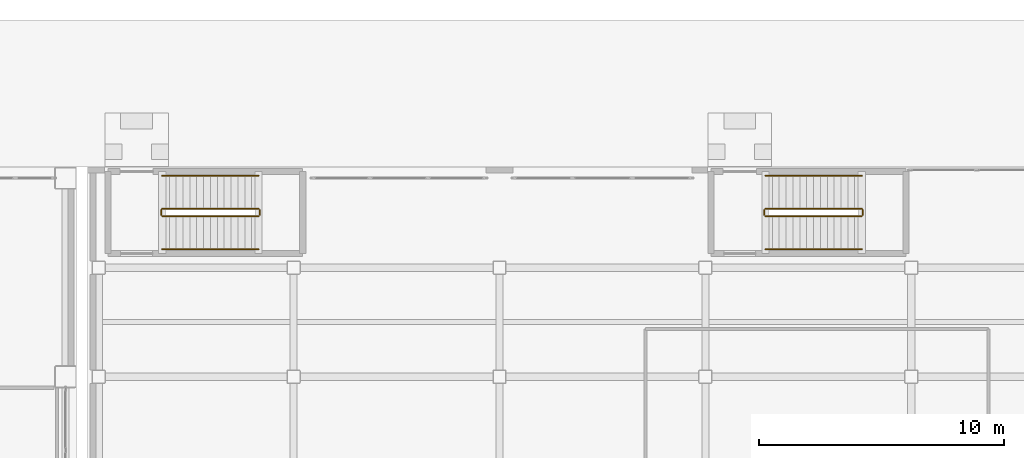
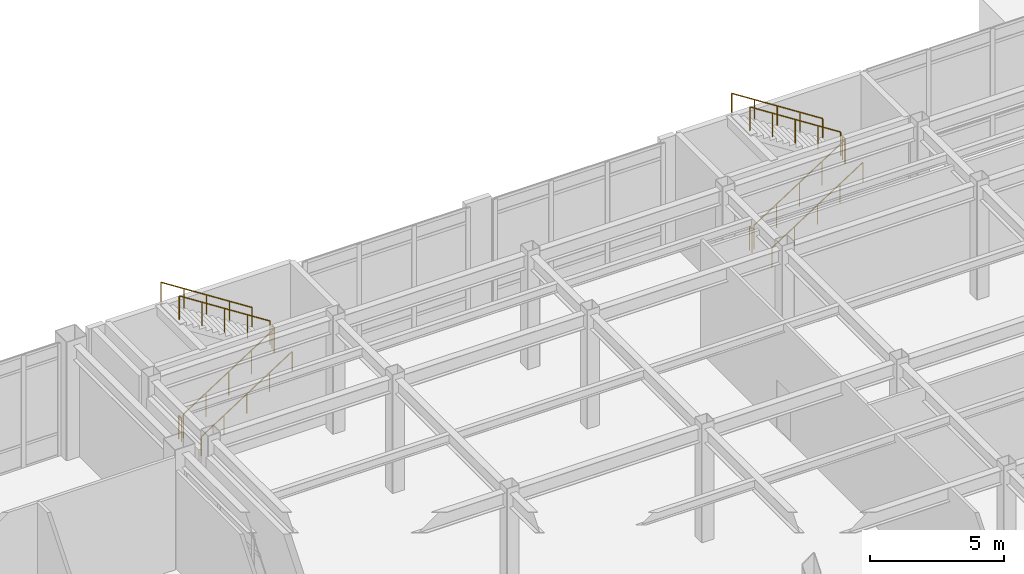
# One storey, part 160 of 165: 12 railings.
"""IFC4 building model written with IfcOpenShell, lengths in metres."""

from ifc_helpers import new_model, si_unit, direction, frame, origin, origin_2d, place, context, subcontext, project, spatial, circle, extrude, material, type_object, element, save


model = new_model("IFC4")

# Units and contexts
model_context = context("Model", 3, precision=1e-05, world=origin(), true_north=direction((0.0, 1.0)))
body_context = subcontext(model_context, "Body", "Model", "MODEL_VIEW")
ifc_project = project(units=[si_unit("LENGTHUNIT", "METRE"), si_unit("AREAUNIT", "SQUARE_METRE"), si_unit("VOLUMEUNIT", "CUBIC_METRE"), si_unit("PLANEANGLEUNIT", "RADIAN"), si_unit("MASSUNIT", "GRAM", prefix="KILO")], contexts=[model_context])

# Site, building, storey
site_placement = place(None, origin())
site = spatial("IfcSite", under=ifc_project, at=site_placement, CompositionType="ELEMENT")
building_placement = place(site_placement, origin())
building = spatial("IfcBuilding", under=site, at=building_placement, Name="Kazehara Bluff Congress Hotel", CompositionType="ELEMENT")
storey_placement = place(building_placement, origin())
storey = spatial("IfcBuildingStorey", under=building, at=storey_placement, Name="L00", CompositionType="ELEMENT", Elevation=0.0)

# Railings
ifc_material_1 = material(Name="Brushed stainless steel", Category="steel")
railing_type_1 = type_object("IfcRailingType", Name="TP-GRD-INT", PredefinedType="GUARDRAIL", material=ifc_material_1)
railing_1_placement = place(storey_placement, frame((62.300048828125, 112.0, 0.179931640625)))
element("IfcRailing", 1, at=railing_1_placement, inside=storey, type_object=railing_type_1, Name="L00 ST-06 stair guard 1", PredefinedType="GUARDRAIL", context=body_context, shape_type="SweptSolid", body=[
    extrude(circle(Radius=0.02392578125, at=origin_2d()), frame((0.0, 0.0, 1.076171875), z_axis=(0.841171666519, 0.0, 0.540768182723), x_axis=(0.0, 1.0, 0.0)), (0.0, 0.0, 1.0), 4.66015625),
    extrude(circle(Radius=0.02099609375, at=origin_2d()), origin(), (0.0, 0.0, 1.0), 1.052001953125),
    extrude(circle(Radius=0.02099609375, at=origin_2d()), frame((0.97998046875, 0.0, 0.6298828125)), (0.0, 0.0, 1.0), 1.052001953125),
    extrude(circle(Radius=0.02099609375, at=origin_2d()), frame((1.9599609375, 0.0, 1.260009765625)), (0.0, 0.0, 1.0), 1.052001953125),
    extrude(circle(Radius=0.02099609375, at=origin_2d()), frame((2.93994140625, 0.0, 1.89013671875)), (0.0, 0.0, 1.0), 1.052001953125),
    extrude(circle(Radius=0.02099609375, at=origin_2d()), frame((3.919921875, 0.0, 2.52001953125)), (0.0, 0.0, 1.0), 1.052001953125),
])
railing_2_placement = place(storey_placement, frame((66.27001953125, 112.050048828125, 2.699951171875)))
element("IfcRailing", 2, at=railing_2_placement, inside=storey, type_object=railing_type_1, Name="L00 ST-06 stair guard 2", PredefinedType="GUARDRAIL", context=body_context, shape_type="SweptSolid", body=[
    extrude(circle(Radius=0.02392578125, at=origin_2d()), frame((0.0, 0.0, 1.076171875), z_axis=(0.0, 1.0, 0.0), x_axis=(-1.0, 0.0, 0.0)), (0.0, 0.0, 1.0), 0.199951171875),
    extrude(circle(Radius=0.02099609375, at=origin_2d()), origin(), (0.0, 0.0, 1.0), 1.052001953125),
    extrude(circle(Radius=0.02099609375, at=origin_2d()), frame((0.0, 0.199951171875, 0.0)), (0.0, 0.0, 1.0), 1.052001953125),
])
railing_3_placement = place(storey_placement, frame((66.219970703125, 112.300048828125, 2.8798828125)))
element("IfcRailing", 3, at=railing_3_placement, inside=storey, type_object=railing_type_1, Name="L00 ST-06 stair guard 3", PredefinedType="GUARDRAIL", context=body_context, shape_type="SweptSolid", body=[
    extrude(circle(Radius=0.02392578125, at=origin_2d()), frame((0.0, 0.0, 1.076171875), z_axis=(-0.841171666519, 0.0, 0.540768182723), x_axis=(0.0, -1.0, 0.0)), (0.0, 0.0, 1.0), 4.66015625),
    extrude(circle(Radius=0.02099609375, at=origin_2d()), origin(), (0.0, 0.0, 1.0), 1.052001953125),
    extrude(circle(Radius=0.02099609375, at=origin_2d()), frame((-0.97998046875, 0.0, 0.6298828125)), (0.0, 0.0, 1.0), 1.052001953125),
    extrude(circle(Radius=0.02099609375, at=origin_2d()), frame((-1.9599609375, 0.0, 1.260009765625)), (0.0, 0.0, 1.0), 1.052001953125),
    extrude(circle(Radius=0.02099609375, at=origin_2d()), frame((-2.93994140625, 0.0, 1.89013671875)), (0.0, 0.0, 1.0), 1.052001953125),
    extrude(circle(Radius=0.02099609375, at=origin_2d()), frame((-3.919921875, 0.0, 2.52001953125)), (0.0, 0.0, 1.0), 1.052001953125),
])
railing_4_placement = place(storey_placement, frame((62.25, 112.050048828125, 0.0)))
element("IfcRailing", 4, at=railing_4_placement, inside=storey, type_object=railing_type_1, Name="L00 ST-06 stair guard 4", PredefinedType="GUARDRAIL", context=body_context, shape_type="SweptSolid", body=[
    extrude(circle(Radius=0.02392578125, at=origin_2d()), frame((0.0, 0.0, 1.076171875), z_axis=(0.0, 1.0, 0.0), x_axis=(-1.0, 0.0, 0.0)), (0.0, 0.0, 1.0), 0.199951171875),
    extrude(circle(Radius=0.02099609375, at=origin_2d()), origin(), (0.0, 0.0, 1.0), 1.052001953125),
    extrude(circle(Radius=0.02099609375, at=origin_2d()), frame((0.0, 0.199951171875, 0.0)), (0.0, 0.0, 1.0), 1.052001953125),
])
railing_5_placement = place(storey_placement, frame((86.89990234375, 112.0, 0.179931640625)))
element("IfcRailing", 5, at=railing_5_placement, inside=storey, type_object=railing_type_1, Name="L00 ST-07 stair guard 1", PredefinedType="GUARDRAIL", context=body_context, shape_type="SweptSolid", body=[
    extrude(circle(Radius=0.02392578125, at=origin_2d()), frame((0.0, 0.0, 1.076171875), z_axis=(0.841186985886, 0.0, 0.540744352514), x_axis=(0.0, 1.0, 0.0)), (0.0, 0.0, 1.0), 4.660400390625),
    extrude(circle(Radius=0.02099609375, at=origin_2d()), origin(), (0.0, 0.0, 1.0), 1.052001953125),
    extrude(circle(Radius=0.02099609375, at=origin_2d()), frame((0.97998046875, 0.0, 0.6298828125)), (0.0, 0.0, 1.0), 1.052001953125),
    extrude(circle(Radius=0.02099609375, at=origin_2d()), frame((1.9599609375, 0.0, 1.260009765625)), (0.0, 0.0, 1.0), 1.052001953125),
    extrude(circle(Radius=0.02099609375, at=origin_2d()), frame((2.940185546875, 0.0, 1.89013671875)), (0.0, 0.0, 1.0), 1.052001953125),
    extrude(circle(Radius=0.02099609375, at=origin_2d()), frame((3.920166015625, 0.0, 2.52001953125)), (0.0, 0.0, 1.0), 1.052001953125),
])
railing_6_placement = place(storey_placement, frame((90.8701171875, 112.050048828125, 2.699951171875)))
element("IfcRailing", 6, at=railing_6_placement, inside=storey, type_object=railing_type_1, Name="L00 ST-07 stair guard 2", PredefinedType="GUARDRAIL", context=body_context, shape_type="SweptSolid", body=[
    extrude(circle(Radius=0.02392578125, at=origin_2d()), frame((0.0, 0.0, 1.076171875), z_axis=(0.0, 1.0, 0.0), x_axis=(-1.0, 0.0, 0.0)), (0.0, 0.0, 1.0), 0.199951171875),
    extrude(circle(Radius=0.02099609375, at=origin_2d()), origin(), (0.0, 0.0, 1.0), 1.052001953125),
    extrude(circle(Radius=0.02099609375, at=origin_2d()), frame((0.0, 0.199951171875, 0.0)), (0.0, 0.0, 1.0), 1.052001953125),
])
railing_7_placement = place(storey_placement, frame((90.820068359375, 112.300048828125, 2.8798828125)))
element("IfcRailing", 7, at=railing_7_placement, inside=storey, type_object=railing_type_1, Name="L00 ST-07 stair guard 3", PredefinedType="GUARDRAIL", context=body_context, shape_type="SweptSolid", body=[
    extrude(circle(Radius=0.02392578125, at=origin_2d()), frame((0.0, 0.0, 1.076171875), z_axis=(-0.841186985886, 0.0, 0.540744352514), x_axis=(0.0, -1.0, 0.0)), (0.0, 0.0, 1.0), 4.660400390625),
    extrude(circle(Radius=0.02099609375, at=origin_2d()), origin(), (0.0, 0.0, 1.0), 1.052001953125),
    extrude(circle(Radius=0.02099609375, at=origin_2d()), frame((-0.97998046875, 0.0, 0.6298828125)), (0.0, 0.0, 1.0), 1.052001953125),
    extrude(circle(Radius=0.02099609375, at=origin_2d()), frame((-1.9599609375, 0.0, 1.260009765625)), (0.0, 0.0, 1.0), 1.052001953125),
    extrude(circle(Radius=0.02099609375, at=origin_2d()), frame((-2.940185546875, 0.0, 1.89013671875)), (0.0, 0.0, 1.0), 1.052001953125),
    extrude(circle(Radius=0.02099609375, at=origin_2d()), frame((-3.920166015625, 0.0, 2.52001953125)), (0.0, 0.0, 1.0), 1.052001953125),
])
railing_8_placement = place(storey_placement, frame((86.85009765625, 112.050048828125, 0.0)))
element("IfcRailing", 8, at=railing_8_placement, inside=storey, type_object=railing_type_1, Name="L00 ST-07 stair guard 4", PredefinedType="GUARDRAIL", context=body_context, shape_type="SweptSolid", body=[
    extrude(circle(Radius=0.02392578125, at=origin_2d()), frame((0.0, 0.0, 1.076171875), z_axis=(0.0, 1.0, 0.0), x_axis=(-1.0, 0.0, 0.0)), (0.0, 0.0, 1.0), 0.199951171875),
    extrude(circle(Radius=0.02099609375, at=origin_2d()), origin(), (0.0, 0.0, 1.0), 1.052001953125),
    extrude(circle(Radius=0.02099609375, at=origin_2d()), frame((0.0, 0.199951171875, 0.0)), (0.0, 0.0, 1.0), 1.052001953125),
])
ifc_material_2 = material(Name="Brushed stainless steel", Category="steel")
railing_type_2 = type_object("IfcRailingType", Name="TP-HR-INT", PredefinedType="HANDRAIL", material=ifc_material_2)
railing_9_placement = place(storey_placement, frame((62.300048828125, 110.64990234375, 0.179931640625)))
element("IfcRailing", 9, at=railing_9_placement, inside=storey, type_object=railing_type_2, Name="L00 ST-06 stair handrail 1", PredefinedType="HANDRAIL", context=body_context, shape_type="SweptSolid", body=[
    extrude(circle(Radius=0.02392578125, at=origin_2d()), frame((0.0, 0.0, 0.8759765625), z_axis=(0.841171666519, 0.0, 0.540768182723), x_axis=(0.0, 1.0, 0.0)), (0.0, 0.0, 1.0), 4.66015625),
    extrude(circle(Radius=0.02099609375, at=origin_2d()), origin(), (0.0, 0.0, 1.0), 0.851806640625),
    extrude(circle(Radius=0.02099609375, at=origin_2d()), frame((0.97998046875, 0.0, 0.6298828125)), (0.0, 0.0, 1.0), 0.851806640625),
    extrude(circle(Radius=0.02099609375, at=origin_2d()), frame((1.9599609375, 0.0, 1.260009765625)), (0.0, 0.0, 1.0), 0.851806640625),
    extrude(circle(Radius=0.02099609375, at=origin_2d()), frame((2.93994140625, 0.0, 1.89013671875)), (0.0, 0.0, 1.0), 0.851806640625),
    extrude(circle(Radius=0.02099609375, at=origin_2d()), frame((3.919921875, 0.0, 2.52001953125)), (0.0, 0.0, 1.0), 0.851806640625),
])
railing_10_placement = place(storey_placement, frame((66.219970703125, 113.64990234375, 2.8798828125)))
element("IfcRailing", 10, at=railing_10_placement, inside=storey, type_object=railing_type_2, Name="L00 ST-06 stair handrail 2", PredefinedType="HANDRAIL", context=body_context, shape_type="SweptSolid", body=[
    extrude(circle(Radius=0.02392578125, at=origin_2d()), frame((0.0, 0.0, 0.8759765625), z_axis=(-0.841171666519, 0.0, 0.540768182723), x_axis=(0.0, -1.0, 0.0)), (0.0, 0.0, 1.0), 4.66015625),
    extrude(circle(Radius=0.02099609375, at=origin_2d()), origin(), (0.0, 0.0, 1.0), 0.851806640625),
    extrude(circle(Radius=0.02099609375, at=origin_2d()), frame((-0.97998046875, 0.0, 0.6298828125)), (0.0, 0.0, 1.0), 0.851806640625),
    extrude(circle(Radius=0.02099609375, at=origin_2d()), frame((-1.9599609375, 0.0, 1.260009765625)), (0.0, 0.0, 1.0), 0.851806640625),
    extrude(circle(Radius=0.02099609375, at=origin_2d()), frame((-2.93994140625, 0.0, 1.89013671875)), (0.0, 0.0, 1.0), 0.851806640625),
    extrude(circle(Radius=0.02099609375, at=origin_2d()), frame((-3.919921875, 0.0, 2.52001953125)), (0.0, 0.0, 1.0), 0.851806640625),
])
railing_11_placement = place(storey_placement, frame((86.89990234375, 110.64990234375, 0.179931640625)))
element("IfcRailing", 11, at=railing_11_placement, inside=storey, type_object=railing_type_2, Name="L00 ST-07 stair handrail 1", PredefinedType="HANDRAIL", context=body_context, shape_type="SweptSolid", body=[
    extrude(circle(Radius=0.02392578125, at=origin_2d()), frame((0.0, 0.0, 0.8759765625), z_axis=(0.841186985886, 0.0, 0.540744352514), x_axis=(0.0, 1.0, 0.0)), (0.0, 0.0, 1.0), 4.660400390625),
    extrude(circle(Radius=0.02099609375, at=origin_2d()), origin(), (0.0, 0.0, 1.0), 0.851806640625),
    extrude(circle(Radius=0.02099609375, at=origin_2d()), frame((0.97998046875, 0.0, 0.6298828125)), (0.0, 0.0, 1.0), 0.851806640625),
    extrude(circle(Radius=0.02099609375, at=origin_2d()), frame((1.9599609375, 0.0, 1.260009765625)), (0.0, 0.0, 1.0), 0.851806640625),
    extrude(circle(Radius=0.02099609375, at=origin_2d()), frame((2.940185546875, 0.0, 1.89013671875)), (0.0, 0.0, 1.0), 0.851806640625),
    extrude(circle(Radius=0.02099609375, at=origin_2d()), frame((3.920166015625, 0.0, 2.52001953125)), (0.0, 0.0, 1.0), 0.851806640625),
])
railing_12_placement = place(storey_placement, frame((90.820068359375, 113.64990234375, 2.8798828125)))
element("IfcRailing", 12, at=railing_12_placement, inside=storey, type_object=railing_type_2, Name="L00 ST-07 stair handrail 2", PredefinedType="HANDRAIL", context=body_context, shape_type="SweptSolid", body=[
    extrude(circle(Radius=0.02392578125, at=origin_2d()), frame((0.0, 0.0, 0.8759765625), z_axis=(-0.841186985886, 0.0, 0.540744352514), x_axis=(0.0, -1.0, 0.0)), (0.0, 0.0, 1.0), 4.660400390625),
    extrude(circle(Radius=0.02099609375, at=origin_2d()), origin(), (0.0, 0.0, 1.0), 0.851806640625),
    extrude(circle(Radius=0.02099609375, at=origin_2d()), frame((-0.97998046875, 0.0, 0.6298828125)), (0.0, 0.0, 1.0), 0.851806640625),
    extrude(circle(Radius=0.02099609375, at=origin_2d()), frame((-1.9599609375, 0.0, 1.260009765625)), (0.0, 0.0, 1.0), 0.851806640625),
    extrude(circle(Radius=0.02099609375, at=origin_2d()), frame((-2.940185546875, 0.0, 1.89013671875)), (0.0, 0.0, 1.0), 0.851806640625),
    extrude(circle(Radius=0.02099609375, at=origin_2d()), frame((-3.920166015625, 0.0, 2.52001953125)), (0.0, 0.0, 1.0), 0.851806640625),
])

save(model, "model.ifc")
